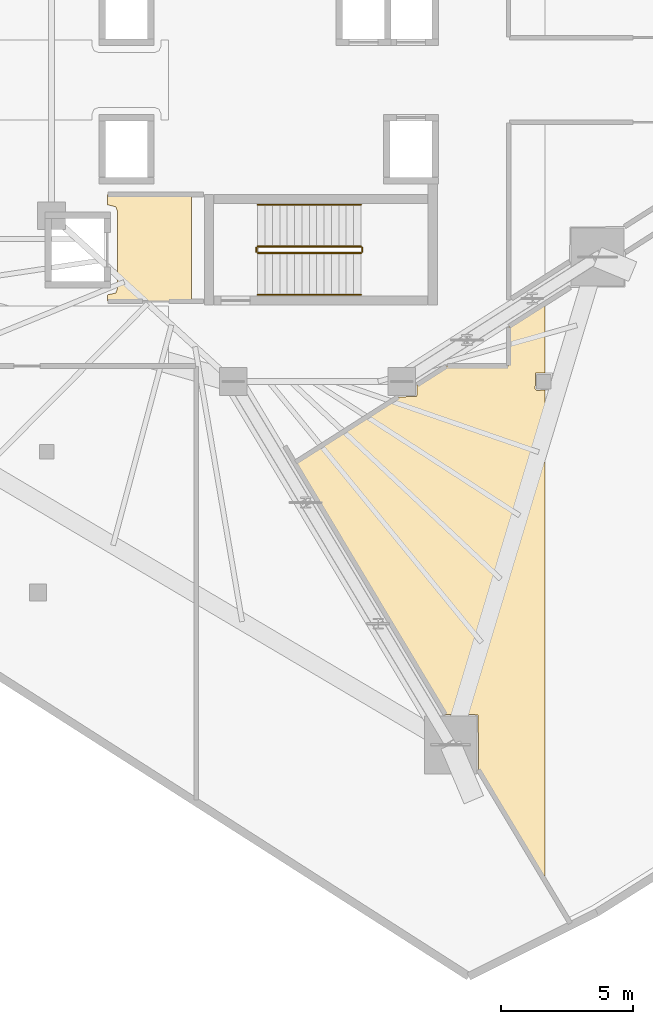
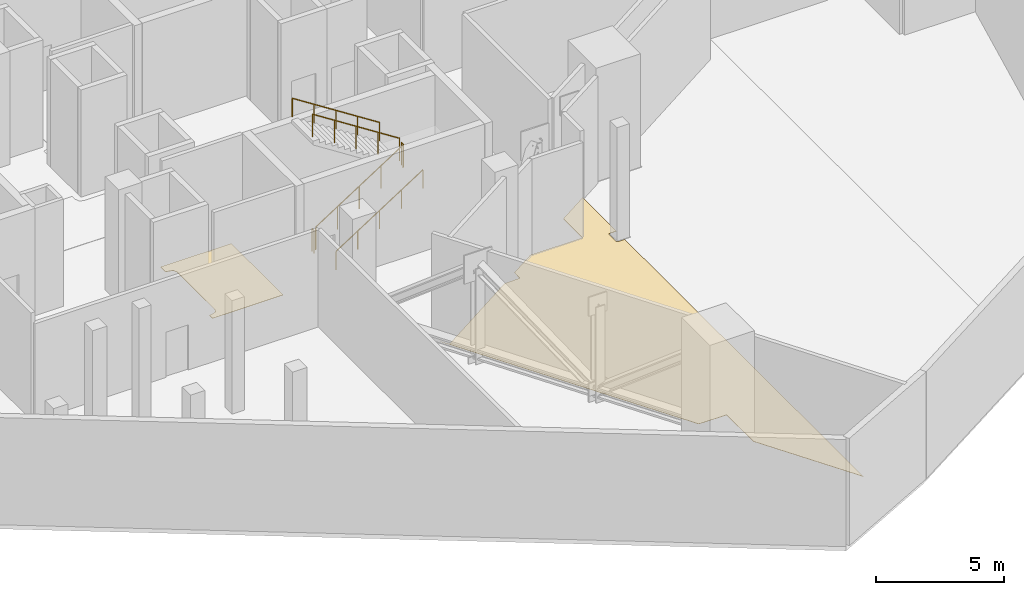
# One storey, part 9 of 12: 6 railings, 2 coverings.
"""IFC4 building model written with IfcOpenShell, lengths in metres."""

from ifc_helpers import new_model, si_unit, direction, frame, origin, origin_2d, place, context, subcontext, project, spatial, polyline, circle, outline, extrude, material, layer, layer_set, type_object, element, save


model = new_model("IFC4")

# Units and contexts
model_context = context("Model", 3, precision=1e-05, world=origin(), true_north=direction((0.0, 1.0)))
body_context = subcontext(model_context, "Body", "Model", "MODEL_VIEW")
ifc_project = project(units=[si_unit("LENGTHUNIT", "METRE"), si_unit("AREAUNIT", "SQUARE_METRE"), si_unit("VOLUMEUNIT", "CUBIC_METRE"), si_unit("PLANEANGLEUNIT", "RADIAN"), si_unit("MASSUNIT", "GRAM", prefix="KILO")], contexts=[model_context])

# Site, building, storey
site_placement = place(None, origin())
site = spatial("IfcSite", under=ifc_project, at=site_placement, CompositionType="ELEMENT")
building_placement = place(site_placement, origin())
building = spatial("IfcBuilding", under=site, at=building_placement, Name="Qorvath Tower", CompositionType="ELEMENT")
storey_placement = place(building_placement, frame((0.0, 0.0, 99.60009765625)))
storey = spatial("IfcBuildingStorey", under=building, at=storey_placement, Name="L22", CompositionType="ELEMENT", Elevation=99.60009765625)

# Coverings
ifc_material_1 = material(Name="Low-VOC modular carpet tile", Category="textile")
ifc_layer_1 = layer(ifc_material_1, 0.014892578125)
ifc_layer_set_1 = layer_set([ifc_layer_1], Name="COV-FLOOR-CPT")
covering_type_1 = type_object("IfcCoveringType", Name="COV-FLOOR-CPT", PredefinedType="FLOORING", material=ifc_layer_set_1)
covering_1_placement = place(storey_placement, origin())
element("IfcCovering", 1, at=covering_1_placement, inside=storey, type_object=covering_type_1, Name="L22 Floor Finish 012", PredefinedType="FLOORING", context=body_context, shape_type="SweptSolid", body=[
    extrude(outline(polyline([(-11.76953125, -30.391845703125), (-11.76953125, -11.77587890625), (-12.074951171875, -11.784912109375), (-12.135009765625, -11.72509765625), (-12.117431640625, -11.132568359375), (-11.76953125, -11.132568359375), (-11.76953125, -8.49755859375), (-13.136962890625, -9.367919921875), (-13.138427734375, -10.861572265625), (-15.486083984375, -10.863037109375), (-16.614990234375, -11.58154296875), (-16.632568359375, -12.017333984375), (-17.32763671875, -12.034912109375), (-21.244384765625, -14.527587890625), (-21.46240234375, -14.194091796875), (-15.543212890625, -24.086181640625), (-14.3017578125, -24.103759765625), (-14.2841796875, -26.189697265625), (-11.76953125, -30.391845703125)])), origin(), (0.0, 0.0, 1.0), 0.014892578125),
])
ifc_material_2 = material(Name="Polished epoxy terrazzo flooring", Category="concrete")
ifc_layer_2 = layer(ifc_material_2, 0.02001953125)
ifc_layer_set_2 = layer_set([ifc_layer_2], Name="COV-FLOOR-TRZ")
covering_type_2 = type_object("IfcCoveringType", Name="COV-FLOOR-TRZ", PredefinedType="FLOORING", material=ifc_layer_set_2)
covering_2_placement = place(storey_placement, origin())
element("IfcCovering", 2, at=covering_2_placement, inside=storey, type_object=covering_type_2, Name="L22 Floor Finish 002", PredefinedType="FLOORING", context=body_context, shape_type="SweptSolid", body=[
    extrude(outline(polyline([(-25.18994140625, -8.39501953125), (-25.18994140625, -4.35498046875), (-28.375, -4.35498046875), (-28.375, -4.739990234375), (-28.063232421875, -4.813232421875), (-27.989990234375, -4.989990234375), (-27.989990234375, -7.909912109375), (-28.063232421875, -8.086669921875), (-28.375, -8.159912109375), (-28.375, -8.39501953125), (-25.18994140625, -8.39501953125)])), origin(), (0.0, 0.0, 1.0), 0.014892578125),
])

# Railings
ifc_material_3 = material(Name="Painted galvanised steel", Category="steel")
railing_type_1 = type_object("IfcRailingType", Name="RL-STR-GRD", PredefinedType="GUARDRAIL", material=ifc_material_3)
railing_1_placement = place(storey_placement, frame((-22.669921875, -6.570068359375, 0.179931640625)))
element("IfcRailing", 3, at=railing_1_placement, inside=storey, type_object=railing_type_1, Name="L22 TS2 stair guard 1", PredefinedType="GUARDRAIL", context=body_context, shape_type="SweptSolid", body=[
    extrude(circle(Radius=0.02392578125, at=origin_2d()), frame((0.0, 0.0, 1.076171875), z_axis=(0.841171666519, 0.0, 0.540768182723), x_axis=(0.0, 1.0, 0.0)), (0.0, 0.0, 1.0), 4.66015625),
    extrude(circle(Radius=0.02099609375, at=origin_2d()), origin(), (0.0, 0.0, 1.0), 1.052001953125),
    extrude(circle(Radius=0.02099609375, at=origin_2d()), frame((0.97998046875, 0.0, 0.6298828125)), (0.0, 0.0, 1.0), 1.052001953125),
    extrude(circle(Radius=0.02099609375, at=origin_2d()), frame((1.9599609375, 0.0, 1.260009765625)), (0.0, 0.0, 1.0), 1.052001953125),
    extrude(circle(Radius=0.02099609375, at=origin_2d()), frame((2.93994140625, 0.0, 1.89013671875)), (0.0, 0.0, 1.0), 1.052001953125),
    extrude(circle(Radius=0.02099609375, at=origin_2d()), frame((3.919921875, 0.0, 2.52001953125)), (0.0, 0.0, 1.0), 1.052001953125),
])
railing_2_placement = place(storey_placement, frame((-18.699951171875, -6.52001953125, 2.699951171875)))
element("IfcRailing", 4, at=railing_2_placement, inside=storey, type_object=railing_type_1, Name="L22 TS2 stair guard 2", PredefinedType="GUARDRAIL", context=body_context, shape_type="SweptSolid", body=[
    extrude(circle(Radius=0.02392578125, at=origin_2d()), frame((0.0, 0.0, 1.076171875), z_axis=(0.0, 1.0, 0.0), x_axis=(-1.0, 0.0, 0.0)), (0.0, 0.0, 1.0), 0.14990234375),
    extrude(circle(Radius=0.02099609375, at=origin_2d()), origin(), (0.0, 0.0, 1.0), 1.052001953125),
    extrude(circle(Radius=0.02099609375, at=origin_2d()), frame((0.0, 0.14990234375, 0.0)), (0.0, 0.0, 1.0), 1.052001953125),
])
railing_3_placement = place(storey_placement, frame((-18.75, -6.320068359375, 2.8798828125)))
element("IfcRailing", 5, at=railing_3_placement, inside=storey, type_object=railing_type_1, Name="L22 TS2 stair guard 3", PredefinedType="GUARDRAIL", context=body_context, shape_type="SweptSolid", body=[
    extrude(circle(Radius=0.02392578125, at=origin_2d()), frame((0.0, 0.0, 1.076171875), z_axis=(-0.841171666519, 0.0, 0.540768182723), x_axis=(0.0, -1.0, 0.0)), (0.0, 0.0, 1.0), 4.66015625),
    extrude(circle(Radius=0.02099609375, at=origin_2d()), origin(), (0.0, 0.0, 1.0), 1.052001953125),
    extrude(circle(Radius=0.02099609375, at=origin_2d()), frame((-0.97998046875, 0.0, 0.6298828125)), (0.0, 0.0, 1.0), 1.052001953125),
    extrude(circle(Radius=0.02099609375, at=origin_2d()), frame((-1.9599609375, 0.0, 1.260009765625)), (0.0, 0.0, 1.0), 1.052001953125),
    extrude(circle(Radius=0.02099609375, at=origin_2d()), frame((-2.93994140625, 0.0, 1.89013671875)), (0.0, 0.0, 1.0), 1.052001953125),
    extrude(circle(Radius=0.02099609375, at=origin_2d()), frame((-3.919921875, 0.0, 2.52001953125)), (0.0, 0.0, 1.0), 1.052001953125),
])
railing_4_placement = place(storey_placement, frame((-22.719970703125, -6.52001953125, 0.0)))
element("IfcRailing", 6, at=railing_4_placement, inside=storey, type_object=railing_type_1, Name="L22 TS2 stair guard 4", PredefinedType="GUARDRAIL", context=body_context, shape_type="SweptSolid", body=[
    extrude(circle(Radius=0.02392578125, at=origin_2d()), frame((0.0, 0.0, 1.076171875), z_axis=(0.0, 1.0, 0.0), x_axis=(-1.0, 0.0, 0.0)), (0.0, 0.0, 1.0), 0.14990234375),
    extrude(circle(Radius=0.02099609375, at=origin_2d()), origin(), (0.0, 0.0, 1.0), 1.052001953125),
    extrude(circle(Radius=0.02099609375, at=origin_2d()), frame((0.0, 0.14990234375, 0.0)), (0.0, 0.0, 1.0), 1.052001953125),
])
ifc_material_4 = material(Name="Brushed stainless steel AISI 304", Category="steel")
railing_type_2 = type_object("IfcRailingType", Name="RL-STR-HND", PredefinedType="HANDRAIL", material=ifc_material_4)
railing_5_placement = place(storey_placement, frame((-22.669921875, -8.14990234375, 0.179931640625)))
element("IfcRailing", 7, at=railing_5_placement, inside=storey, type_object=railing_type_2, Name="L22 TS2 stair handrail 1", PredefinedType="HANDRAIL", context=body_context, shape_type="SweptSolid", body=[
    extrude(circle(Radius=0.02392578125, at=origin_2d()), frame((0.0, 0.0, 0.8759765625), z_axis=(0.841171666519, 0.0, 0.540768182723), x_axis=(0.0, 1.0, 0.0)), (0.0, 0.0, 1.0), 4.66015625),
    extrude(circle(Radius=0.02099609375, at=origin_2d()), origin(), (0.0, 0.0, 1.0), 0.851806640625),
    extrude(circle(Radius=0.02099609375, at=origin_2d()), frame((0.97998046875, 0.0, 0.6298828125)), (0.0, 0.0, 1.0), 0.851806640625),
    extrude(circle(Radius=0.02099609375, at=origin_2d()), frame((1.9599609375, 0.0, 1.260009765625)), (0.0, 0.0, 1.0), 0.851806640625),
    extrude(circle(Radius=0.02099609375, at=origin_2d()), frame((2.93994140625, 0.0, 1.89013671875)), (0.0, 0.0, 1.0), 0.851806640625),
    extrude(circle(Radius=0.02099609375, at=origin_2d()), frame((3.919921875, 0.0, 2.52001953125)), (0.0, 0.0, 1.0), 0.851806640625),
])
railing_6_placement = place(storey_placement, frame((-18.75, -4.739990234375, 2.8798828125)))
element("IfcRailing", 8, at=railing_6_placement, inside=storey, type_object=railing_type_2, Name="L22 TS2 stair handrail 2", PredefinedType="HANDRAIL", context=body_context, shape_type="SweptSolid", body=[
    extrude(circle(Radius=0.02392578125, at=origin_2d()), frame((0.0, 0.0, 0.8759765625), z_axis=(-0.841171666519, 0.0, 0.540768182723), x_axis=(0.0, -1.0, 0.0)), (0.0, 0.0, 1.0), 4.66015625),
    extrude(circle(Radius=0.02099609375, at=origin_2d()), origin(), (0.0, 0.0, 1.0), 0.851806640625),
    extrude(circle(Radius=0.02099609375, at=origin_2d()), frame((-0.97998046875, 0.0, 0.6298828125)), (0.0, 0.0, 1.0), 0.851806640625),
    extrude(circle(Radius=0.02099609375, at=origin_2d()), frame((-1.9599609375, 0.0, 1.260009765625)), (0.0, 0.0, 1.0), 0.851806640625),
    extrude(circle(Radius=0.02099609375, at=origin_2d()), frame((-2.93994140625, 0.0, 1.89013671875)), (0.0, 0.0, 1.0), 0.851806640625),
    extrude(circle(Radius=0.02099609375, at=origin_2d()), frame((-3.919921875, 0.0, 2.52001953125)), (0.0, 0.0, 1.0), 0.851806640625),
])

save(model, "model.ifc")
